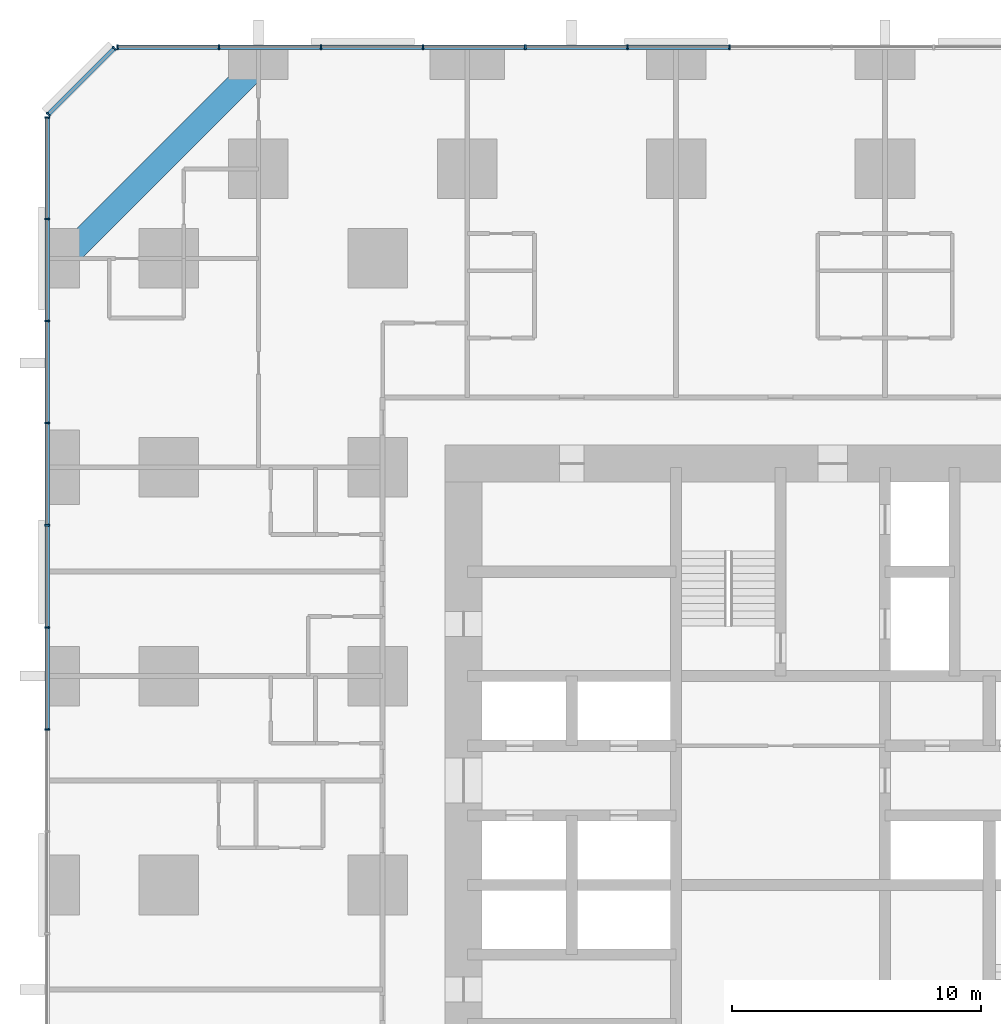
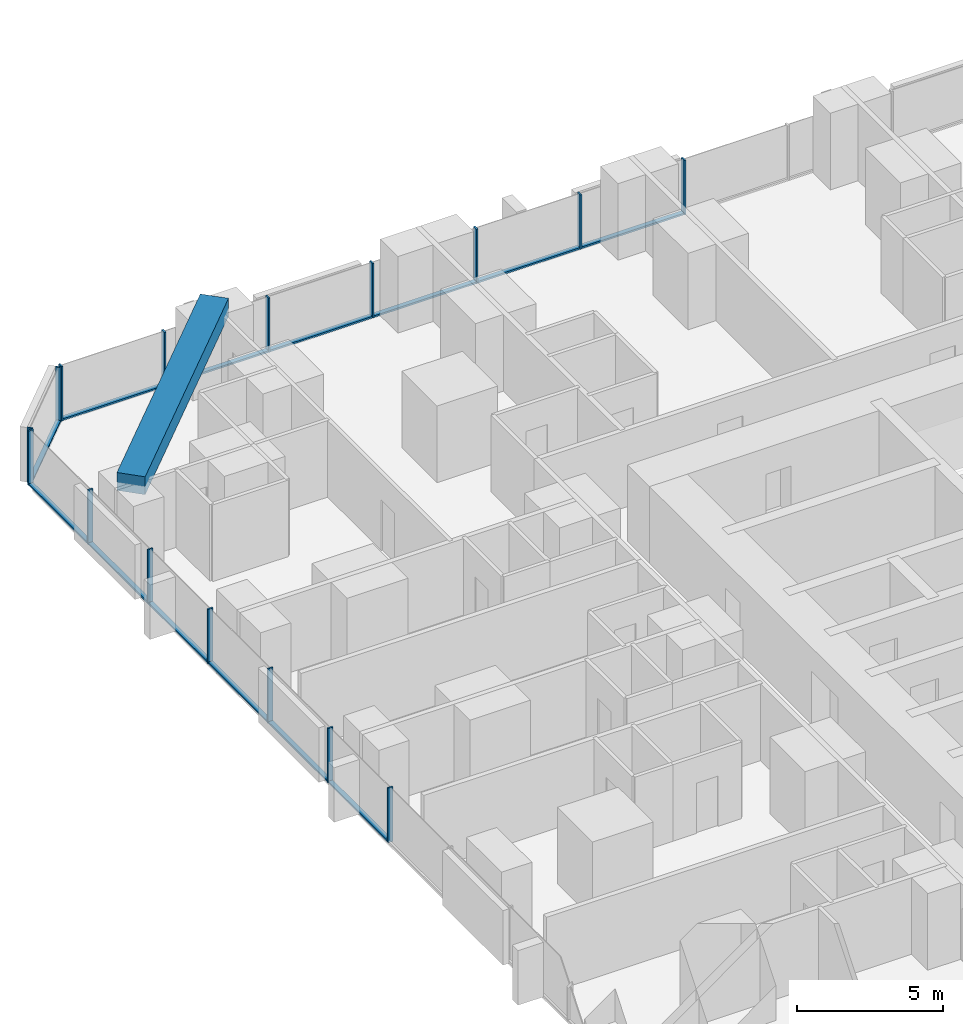
# One storey, part 5 of 16: 29 members, 1 beam, 3 elements without a shape of their own.
"""IFC4 building model written with IfcOpenShell, lengths in metres."""

from ifc_helpers import new_model, si_unit, direction, frame, origin, origin_2d, place, context, subcontext, project, spatial, rectangle, extrude, material, material_profile, profile_set, type_object, element, aggregate, save


model = new_model("IFC4")

# Units and contexts
model_context = context("Model", 3, precision=1e-05, world=origin(), true_north=direction((0.0, 1.0)))
body_context = subcontext(model_context, "Body", "Model", "MODEL_VIEW")
ifc_project = project(units=[si_unit("LENGTHUNIT", "METRE"), si_unit("AREAUNIT", "SQUARE_METRE"), si_unit("VOLUMEUNIT", "CUBIC_METRE"), si_unit("PLANEANGLEUNIT", "RADIAN"), si_unit("MASSUNIT", "GRAM", prefix="KILO")], contexts=[model_context])

# Site, building, storey
site_placement = place(None, origin())
site = spatial("IfcSite", under=ifc_project, at=site_placement, CompositionType="ELEMENT")
building_placement = place(site_placement, origin())
building = spatial("IfcBuilding", under=site, at=building_placement, Name="Dunama Terrace Hotel", CompositionType="ELEMENT")
storey_placement = place(building_placement, frame((0.0, 0.0, 84.60009765625)))
storey = spatial("IfcBuildingStorey", under=building, at=storey_placement, Name="L21", CompositionType="ELEMENT", Elevation=84.60009765625)

# Curtain wall, members
ifc_material_1 = material(Name="Aluminium curtain wall system", Category="aluminium")
curtain_wall_type = type_object("IfcCurtainWallType", Name="Unitised fritted glass wall CW-A", PredefinedType="NOTDEFINED", material=ifc_material_1)
curtain_wall_1_placement = place(storey_placement, origin())
curtain_wall_1 = element("IfcCurtainWall", 1, at=curtain_wall_1_placement, inside=storey, type_object=curtain_wall_type, Name="Unitised fritted glass wall CW-A L21", PredefinedType="NOTDEFINED")
ifc_material_2 = material(Name="Aluminium mullion", Category="aluminium")
ifc_material_profile_1 = material_profile(ifc_material_2, rectangle(XDim=0.06494140625, YDim=0.199951171875, at=origin_2d()), Name="CWA MULLION 65X200")
ifc_profile_set_1 = profile_set([ifc_material_profile_1], Name="Aluminium mullion")
member_type_1 = type_object("IfcMemberType", Name="CWA mullion 65x200", PredefinedType="MULLION", material=ifc_profile_set_1)
member_1_placement = place(storey_placement, frame((27.345947265625, 58.89990234375, 0.0), z_axis=(0.0, 0.0, 1.0), x_axis=(-1.0, 0.0, 0.0)))
member_1 = element("IfcMember", 2, at=member_1_placement, type_object=member_type_1, Name="CWA mullion", PredefinedType="MULLION", context=body_context, shape_type="SweptSolid", body=[
    extrude(rectangle(XDim=0.06494140625, YDim=0.199951171875, at=origin_2d()), origin(), (0.0, 0.0, 1.0), 2.27880859375),
])
member_2_placement = place(storey_placement, frame((23.238037109375, 58.89990234375, 0.0), z_axis=(0.0, 0.0, 1.0), x_axis=(-1.0, 0.0, 0.0)))
member_2 = element("IfcMember", 3, at=member_2_placement, type_object=member_type_1, Name="CWA mullion", PredefinedType="MULLION", context=body_context, shape_type="SweptSolid", body=[
    extrude(rectangle(XDim=0.06494140625, YDim=0.199951171875, at=origin_2d()), origin(), (0.0, 0.0, 1.0), 2.27880859375),
])
member_3_placement = place(storey_placement, frame((19.131103515625, 58.89990234375, 0.0), z_axis=(0.0, 0.0, 1.0), x_axis=(-1.0, 0.0, 0.0)))
member_3 = element("IfcMember", 4, at=member_3_placement, type_object=member_type_1, Name="CWA mullion", PredefinedType="MULLION", context=body_context, shape_type="SweptSolid", body=[
    extrude(rectangle(XDim=0.06494140625, YDim=0.199951171875, at=origin_2d()), origin(), (0.0, 0.0, 1.0), 2.27880859375),
])
member_4_placement = place(storey_placement, frame((15.02294921875, 58.89990234375, 0.0), z_axis=(0.0, 0.0, 1.0), x_axis=(-1.0, 0.0, 0.0)))
member_4 = element("IfcMember", 5, at=member_4_placement, type_object=member_type_1, Name="CWA mullion", PredefinedType="MULLION", context=body_context, shape_type="SweptSolid", body=[
    extrude(rectangle(XDim=0.06494140625, YDim=0.199951171875, at=origin_2d()), origin(), (0.0, 0.0, 1.0), 2.27880859375),
])
member_5_placement = place(storey_placement, frame((10.9150390625, 58.89990234375, 0.0), z_axis=(0.0, 0.0, 1.0), x_axis=(-1.0, 0.0, 0.0)))
member_5 = element("IfcMember", 6, at=member_5_placement, type_object=member_type_1, Name="CWA mullion", PredefinedType="MULLION", context=body_context, shape_type="SweptSolid", body=[
    extrude(rectangle(XDim=0.06494140625, YDim=0.199951171875, at=origin_2d()), origin(), (0.0, 0.0, 1.0), 2.27880859375),
])
member_6_placement = place(storey_placement, frame((6.80810546875, 58.89990234375, 0.0), z_axis=(0.0, 0.0, 1.0), x_axis=(-1.0, 0.0, 0.0)))
member_6 = element("IfcMember", 7, at=member_6_placement, type_object=member_type_1, Name="CWA mullion", PredefinedType="MULLION", context=body_context, shape_type="SweptSolid", body=[
    extrude(rectangle(XDim=0.06494140625, YDim=0.199951171875, at=origin_2d()), origin(), (0.0, 0.0, 1.0), 2.27880859375),
])
member_7_placement = place(storey_placement, frame((2.73291015625, 58.89990234375, 0.0), z_axis=(0.0, 0.0, 1.0), x_axis=(-1.0, 0.0, 0.0)))
member_7 = element("IfcMember", 8, at=member_7_placement, type_object=member_type_1, Name="CWA mullion", PredefinedType="MULLION", context=body_context, shape_type="SweptSolid", body=[
    extrude(rectangle(XDim=0.06494140625, YDim=0.199951171875, at=origin_2d()), origin(), (0.0, 0.0, 1.0), 2.27880859375),
])

curtain_wall_2_placement = place(storey_placement, origin())
curtain_wall_2 = element("IfcCurtainWall", 9, at=curtain_wall_2_placement, inside=storey, type_object=curtain_wall_type, Name="Unitised fritted glass wall CW-A L21", PredefinedType="NOTDEFINED")
member_8_placement = place(storey_placement, frame((2.60595703125, 58.847900390625, 0.0), z_axis=(0.0, 0.0, 1.0), x_axis=(-0.707106781187, -0.707106781187, 0.0)))
member_8 = element("IfcMember", 10, at=member_8_placement, type_object=member_type_1, Name="CWA mullion", PredefinedType="MULLION", context=body_context, shape_type="SweptSolid", body=[
    extrude(rectangle(XDim=0.06494140625, YDim=0.199951171875, at=origin_2d()), origin(), (0.0, 0.0, 1.0), 2.27880859375),
])
member_9_placement = place(storey_placement, frame((-0.048095703125, 56.194091796875, 0.0), z_axis=(0.0, 0.0, 1.0), x_axis=(-0.707106781187, -0.707106781187, 0.0)))
member_9 = element("IfcMember", 11, at=member_9_placement, type_object=member_type_1, Name="CWA mullion", PredefinedType="MULLION", context=body_context, shape_type="SweptSolid", body=[
    extrude(rectangle(XDim=0.06494140625, YDim=0.199951171875, at=origin_2d()), origin(), (0.0, 0.0, 1.0), 2.27880859375),
])

curtain_wall_3_placement = place(storey_placement, origin())
curtain_wall_3 = element("IfcCurtainWall", 12, at=curtain_wall_3_placement, inside=storey, type_object=curtain_wall_type, Name="Unitised fritted glass wall CW-A L21", PredefinedType="NOTDEFINED")
member_10_placement = place(storey_placement, frame((-0.10009765625, 56.06689453125, 0.0), z_axis=(0.0, 0.0, 1.0), x_axis=(0.0, -1.0, 0.0)))
member_10 = element("IfcMember", 13, at=member_10_placement, type_object=member_type_1, Name="CWA mullion", PredefinedType="MULLION", context=body_context, shape_type="SweptSolid", body=[
    extrude(rectangle(XDim=0.06494140625, YDim=0.199951171875, at=origin_2d()), origin(), (0.0, 0.0, 1.0), 2.27880859375),
])
member_11_placement = place(storey_placement, frame((-0.10009765625, 51.991943359375, 0.0), z_axis=(0.0, 0.0, 1.0), x_axis=(0.0, -1.0, 0.0)))
member_11 = element("IfcMember", 14, at=member_11_placement, type_object=member_type_1, Name="CWA mullion", PredefinedType="MULLION", context=body_context, shape_type="SweptSolid", body=[
    extrude(rectangle(XDim=0.06494140625, YDim=0.199951171875, at=origin_2d()), origin(), (0.0, 0.0, 1.0), 2.27880859375),
])
member_12_placement = place(storey_placement, frame((-0.10009765625, 47.885009765625, 0.0), z_axis=(0.0, 0.0, 1.0), x_axis=(0.0, -1.0, 0.0)))
member_12 = element("IfcMember", 15, at=member_12_placement, type_object=member_type_1, Name="CWA mullion", PredefinedType="MULLION", context=body_context, shape_type="SweptSolid", body=[
    extrude(rectangle(XDim=0.06494140625, YDim=0.199951171875, at=origin_2d()), origin(), (0.0, 0.0, 1.0), 2.27880859375),
])
member_13_placement = place(storey_placement, frame((-0.10009765625, 43.777099609375, 0.0), z_axis=(0.0, 0.0, 1.0), x_axis=(0.0, -1.0, 0.0)))
member_13 = element("IfcMember", 16, at=member_13_placement, type_object=member_type_1, Name="CWA mullion", PredefinedType="MULLION", context=body_context, shape_type="SweptSolid", body=[
    extrude(rectangle(XDim=0.06494140625, YDim=0.199951171875, at=origin_2d()), origin(), (0.0, 0.0, 1.0), 2.27880859375),
])
member_14_placement = place(storey_placement, frame((-0.10009765625, 39.6689453125, 0.0), z_axis=(0.0, 0.0, 1.0), x_axis=(0.0, -1.0, 0.0)))
member_14 = element("IfcMember", 17, at=member_14_placement, type_object=member_type_1, Name="CWA mullion", PredefinedType="MULLION", context=body_context, shape_type="SweptSolid", body=[
    extrude(rectangle(XDim=0.06494140625, YDim=0.199951171875, at=origin_2d()), origin(), (0.0, 0.0, 1.0), 2.27880859375),
])
member_15_placement = place(storey_placement, frame((-0.10009765625, 35.56201171875, 0.0), z_axis=(0.0, 0.0, 1.0), x_axis=(0.0, -1.0, 0.0)))
member_15 = element("IfcMember", 18, at=member_15_placement, type_object=member_type_1, Name="CWA mullion", PredefinedType="MULLION", context=body_context, shape_type="SweptSolid", body=[
    extrude(rectangle(XDim=0.06494140625, YDim=0.199951171875, at=origin_2d()), origin(), (0.0, 0.0, 1.0), 2.27880859375),
])
member_16_placement = place(storey_placement, frame((-0.10009765625, 31.4541015625, 0.0), z_axis=(0.0, 0.0, 1.0), x_axis=(0.0, -1.0, 0.0)))
member_16 = element("IfcMember", 19, at=member_16_placement, type_object=member_type_1, Name="CWA mullion", PredefinedType="MULLION", context=body_context, shape_type="SweptSolid", body=[
    extrude(rectangle(XDim=0.06494140625, YDim=0.199951171875, at=origin_2d()), origin(), (0.0, 0.0, 1.0), 2.27880859375),
])

# Member
ifc_material_3 = material(Name="Aluminium transom", Category="aluminium")
ifc_material_profile_2 = material_profile(ifc_material_3, rectangle(XDim=0.179931640625, YDim=0.074951171875, at=origin_2d()), Name="CWA TRANSOM 180X75")
ifc_profile_set_2 = profile_set([ifc_material_profile_2], Name="Aluminium transom")
member_type_2 = type_object("IfcMemberType", Name="CWA transom 180x75", PredefinedType="USERDEFINED", material=ifc_profile_set_2)
member_17_placement = place(storey_placement, frame((27.31396484375, 58.89990234375, 0.037353515625), z_axis=(-1.0, 0.0, 0.0), x_axis=(0.0, -1.0, 0.0)))
member_17 = element("IfcMember", 20, at=member_17_placement, type_object=member_type_2, Name="CWA transom", ObjectType="TRANSOM", PredefinedType="USERDEFINED", context=body_context, shape_type="SweptSolid", body=[
    extrude(rectangle(XDim=0.179931640625, YDim=0.074951171875, at=origin_2d()), origin(), (0.0, 0.0, 1.0), 4.04296875),
])

member_18_placement = place(storey_placement, frame((23.2060546875, 58.89990234375, 0.037353515625), z_axis=(-1.0, 0.0, 0.0), x_axis=(0.0, -1.0, 0.0)))
member_18 = element("IfcMember", 21, at=member_18_placement, type_object=member_type_2, Name="CWA transom", ObjectType="TRANSOM", PredefinedType="USERDEFINED", context=body_context, shape_type="SweptSolid", body=[
    extrude(rectangle(XDim=0.179931640625, YDim=0.074951171875, at=origin_2d()), origin(), (0.0, 0.0, 1.0), 4.04296875),
])

member_19_placement = place(storey_placement, frame((19.097900390625, 58.89990234375, 0.037353515625), z_axis=(-1.0, 0.0, 0.0), x_axis=(0.0, -1.0, 0.0)))
member_19 = element("IfcMember", 22, at=member_19_placement, type_object=member_type_2, Name="CWA transom", ObjectType="TRANSOM", PredefinedType="USERDEFINED", context=body_context, shape_type="SweptSolid", body=[
    extrude(rectangle(XDim=0.179931640625, YDim=0.074951171875, at=origin_2d()), origin(), (0.0, 0.0, 1.0), 4.0419921875),
])

member_20_placement = place(storey_placement, frame((14.990966796875, 58.89990234375, 0.037353515625), z_axis=(-1.0, 0.0, 0.0), x_axis=(0.0, -1.0, 0.0)))
member_20 = element("IfcMember", 23, at=member_20_placement, type_object=member_type_2, Name="CWA transom", ObjectType="TRANSOM", PredefinedType="USERDEFINED", context=body_context, shape_type="SweptSolid", body=[
    extrude(rectangle(XDim=0.179931640625, YDim=0.074951171875, at=origin_2d()), origin(), (0.0, 0.0, 1.0), 4.04296875),
])

member_21_placement = place(storey_placement, frame((10.883056640625, 58.89990234375, 0.037353515625), z_axis=(-1.0, 0.0, 0.0), x_axis=(0.0, -1.0, 0.0)))
member_21 = element("IfcMember", 24, at=member_21_placement, type_object=member_type_2, Name="CWA transom", ObjectType="TRANSOM", PredefinedType="USERDEFINED", context=body_context, shape_type="SweptSolid", body=[
    extrude(rectangle(XDim=0.179931640625, YDim=0.074951171875, at=origin_2d()), origin(), (0.0, 0.0, 1.0), 4.04296875),
])

member_22_placement = place(storey_placement, frame((6.77490234375, 58.89990234375, 0.037353515625), z_axis=(-1.0, 0.0, 0.0), x_axis=(0.0, -1.0, 0.0)))
member_22 = element("IfcMember", 25, at=member_22_placement, type_object=member_type_2, Name="CWA transom", ObjectType="TRANSOM", PredefinedType="USERDEFINED", context=body_context, shape_type="SweptSolid", body=[
    extrude(rectangle(XDim=0.179931640625, YDim=0.074951171875, at=origin_2d()), origin(), (0.0, 0.0, 1.0), 4.010009765625),
])

aggregate(curtain_wall_1, [member_1, member_2, member_3, member_4, member_5, member_6, member_7, member_17, member_18, member_19, member_20, member_21, member_22])

member_23_placement = place(storey_placement, frame((2.5830078125, 58.824951171875, 0.037353515625), z_axis=(-0.707106781187, -0.707106781187, 0.0), x_axis=(0.707106781187, -0.707106781187, 0.0)))
member_23 = element("IfcMember", 26, at=member_23_placement, type_object=member_type_2, Name="CWA transom", ObjectType="TRANSOM", PredefinedType="USERDEFINED", context=body_context, shape_type="SweptSolid", body=[
    extrude(rectangle(XDim=0.179931640625, YDim=0.074951171875, at=origin_2d()), origin(), (0.0, 0.0, 1.0), 3.688232421875),
])

aggregate(curtain_wall_2, [member_8, member_9, member_23])

member_24_placement = place(storey_placement, frame((-0.10009765625, 56.034912109375, 0.037353515625), z_axis=(0.0, -1.0, 0.0), x_axis=(1.0, 0.0, 0.0)))
member_24 = element("IfcMember", 27, at=member_24_placement, type_object=member_type_2, Name="CWA transom", ObjectType="TRANSOM", PredefinedType="USERDEFINED", context=body_context, shape_type="SweptSolid", body=[
    extrude(rectangle(XDim=0.179931640625, YDim=0.074951171875, at=origin_2d()), origin(), (0.0, 0.0, 1.0), 4.010009765625),
])

member_25_placement = place(storey_placement, frame((-0.10009765625, 51.9599609375, 0.037353515625), z_axis=(0.0, -1.0, 0.0), x_axis=(1.0, 0.0, 0.0)))
member_25 = element("IfcMember", 28, at=member_25_placement, type_object=member_type_2, Name="CWA transom", ObjectType="TRANSOM", PredefinedType="USERDEFINED", context=body_context, shape_type="SweptSolid", body=[
    extrude(rectangle(XDim=0.179931640625, YDim=0.074951171875, at=origin_2d()), origin(), (0.0, 0.0, 1.0), 4.04296875),
])

member_26_placement = place(storey_placement, frame((-0.10009765625, 47.85205078125, 0.037353515625), z_axis=(0.0, -1.0, 0.0), x_axis=(1.0, 0.0, 0.0)))
member_26 = element("IfcMember", 29, at=member_26_placement, type_object=member_type_2, Name="CWA transom", ObjectType="TRANSOM", PredefinedType="USERDEFINED", context=body_context, shape_type="SweptSolid", body=[
    extrude(rectangle(XDim=0.179931640625, YDim=0.074951171875, at=origin_2d()), origin(), (0.0, 0.0, 1.0), 4.04296875),
])

member_27_placement = place(storey_placement, frame((-0.10009765625, 43.743896484375, 0.037353515625), z_axis=(0.0, -1.0, 0.0), x_axis=(1.0, 0.0, 0.0)))
member_27 = element("IfcMember", 30, at=member_27_placement, type_object=member_type_2, Name="CWA transom", ObjectType="TRANSOM", PredefinedType="USERDEFINED", context=body_context, shape_type="SweptSolid", body=[
    extrude(rectangle(XDim=0.179931640625, YDim=0.074951171875, at=origin_2d()), origin(), (0.0, 0.0, 1.0), 4.0419921875),
])

member_28_placement = place(storey_placement, frame((-0.10009765625, 39.636962890625, 0.037353515625), z_axis=(0.0, -1.0, 0.0), x_axis=(1.0, 0.0, 0.0)))
member_28 = element("IfcMember", 31, at=member_28_placement, type_object=member_type_2, Name="CWA transom", ObjectType="TRANSOM", PredefinedType="USERDEFINED", context=body_context, shape_type="SweptSolid", body=[
    extrude(rectangle(XDim=0.179931640625, YDim=0.074951171875, at=origin_2d()), origin(), (0.0, 0.0, 1.0), 4.04296875),
])

member_29_placement = place(storey_placement, frame((-0.10009765625, 35.529052734375, 0.037353515625), z_axis=(0.0, -1.0, 0.0), x_axis=(1.0, 0.0, 0.0)))
member_29 = element("IfcMember", 32, at=member_29_placement, type_object=member_type_2, Name="CWA transom", ObjectType="TRANSOM", PredefinedType="USERDEFINED", context=body_context, shape_type="SweptSolid", body=[
    extrude(rectangle(XDim=0.179931640625, YDim=0.074951171875, at=origin_2d()), origin(), (0.0, 0.0, 1.0), 4.04296875),
])

aggregate(curtain_wall_3, [member_10, member_11, member_12, member_13, member_14, member_15, member_16, member_24, member_25, member_26, member_27, member_28, member_29])

# Beam
ifc_material_4 = material(Name="Concrete C50/60", Category="concrete")
ifc_material_profile_3 = material_profile(ifc_material_4, rectangle(XDim=1.0, YDim=0.75, at=origin_2d()), Name="RC 1000x750")
ifc_profile_set_3 = profile_set([ifc_material_profile_3], Name="Concrete C50/60")
beam_type = type_object("IfcBeamType", Name="Edge beam RC 1000x750", PredefinedType="SPANDREL", material=ifc_profile_set_3)
beam_placement = place(storey_placement, frame((8.39990234375, 58.199951171875, 3.224853515625), z_axis=(-0.707095714747, -0.707117847453, 0.0), x_axis=(0.707117847453, -0.707095714747, 0.0)))
element("IfcBeam", 33, at=beam_placement, inside=storey, type_object=beam_type, Name="Corner edge beam under L22", PredefinedType="SPANDREL", context=body_context, shape_type="SweptSolid", body=[
    extrude(rectangle(XDim=1.0, YDim=0.75, at=origin_2d()), origin(), (0.0, 0.0, 1.0), 11.03076171875),
])

save(model, "model.ifc")
